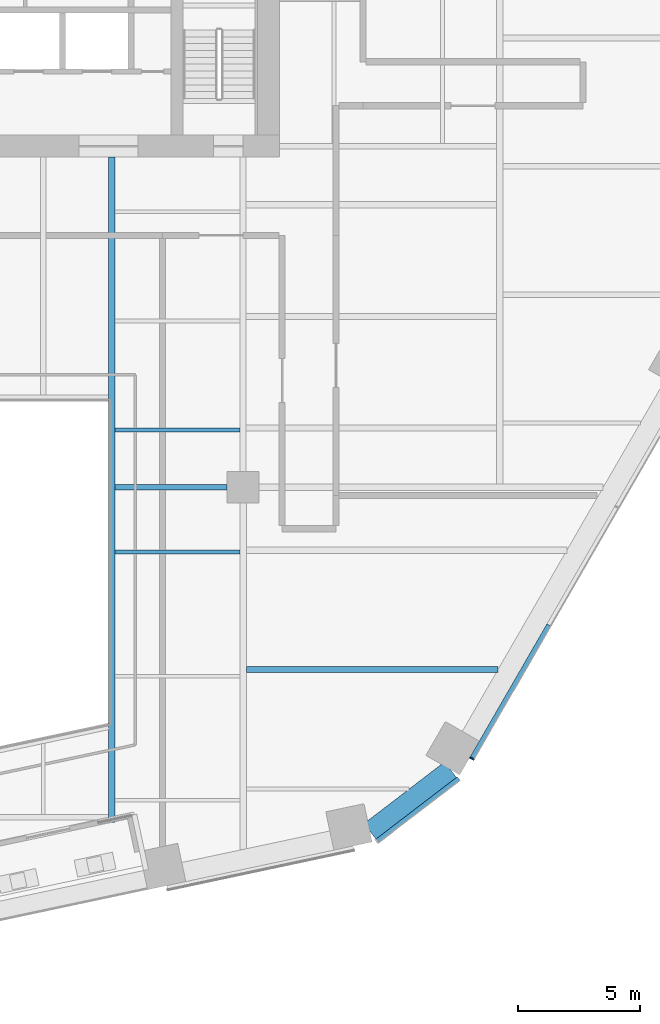
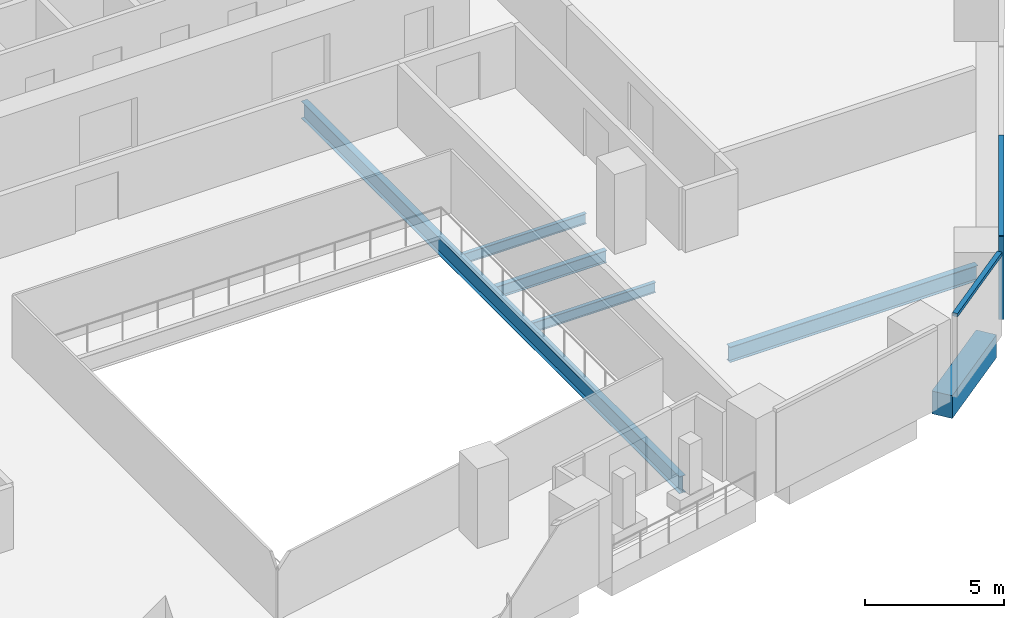
# One storey, part 7 of 28: 6 beams, 3 members, 2 elements without a shape of their own.
"""IFC4 building model written with IfcOpenShell, lengths in metres."""

import ifcopenshell
import ifcopenshell.guid

model = None  # the IFC model being written
_history = None  # IfcOwnerHistory: only IFC2X3 demands one
_inside = {}  # id of a spatial element -> (the spatial element, [elements in it])
_under = {}  # id of a project, library or spatial element -> (it, [spatial elements below it])
_declared = {}  # id of a project -> (the project, [libraries it declares])
_typed = {}  # id of a type object -> (the type object, [elements of that type])
_made_of = {}  # id of a material, layer set ... -> (it, [elements and type objects made of it])


def new_model(schema):
    """Start an empty IFC model of exactly this schema.

    Asked for "IFC4X3", IfcOpenShell would pick the latest addendum, in which some entities
    have other attributes; the version numbers below select the first issue.
    IFC2X3 requires an IfcOwnerHistory on every rooted entity: one is made here for all.
    """
    global model, _history
    if schema == "IFC4X3":
        model = ifcopenshell.file(schema_version=(4, 3, 0, 0))
    else:
        model = ifcopenshell.file(schema=schema)
    _inside.clear()
    _under.clear()
    _declared.clear()
    _typed.clear()
    _made_of.clear()
    _history = None
    if model.schema == "IFC2X3":
        org = make("IfcOrganization", Name="unknown")
        user = make(
            "IfcPersonAndOrganization",
            ThePerson=make("IfcPerson", FamilyName="unknown"),
            TheOrganization=org,
        )
        app = make(
            "IfcApplication",
            ApplicationDeveloper=org,
            Version="unknown",
            ApplicationFullName="unknown",
            ApplicationIdentifier="unknown",
        )
        _history = make(
            "IfcOwnerHistory",
            OwningUser=user,
            OwningApplication=app,
            ChangeAction="ADDED",
            CreationDate=0,
        )
    return model


def make(cls, **values):
    """One entity of the class cls with the attributes given. An attribute that is None is left unset."""
    return model.create_entity(
        cls, **{name: value for name, value in values.items() if value is not None}
    )


def rooted(cls, **values):
    """An entity with a GlobalId (a new one), such as an element, a storey or a relation."""
    return make(cls, GlobalId=ifcopenshell.guid.new(), OwnerHistory=_history, **values)


def si_unit(unit_type, name, prefix=None):
    """IfcSIUnit, for example si_unit("LENGTHUNIT", "METRE", prefix="MILLI")."""
    return make("IfcSIUnit", UnitType=unit_type, Prefix=prefix, Name=name)


def assignment(units):
    """IfcUnitAssignment: the units of a project."""
    return None if units is None else make("IfcUnitAssignment", Units=units)


def point(xyz):
    """IfcCartesianPoint."""
    return None if xyz is None else make("IfcCartesianPoint", Coordinates=xyz)


def direction(xyz):
    """IfcDirection."""
    return None if xyz is None else make("IfcDirection", DirectionRatios=xyz)


def frame(location, z_axis=None, x_axis=None):
    """IfcAxis2Placement3D, a coordinate frame: its origin and axes. An axis left out is left unset."""
    return make(
        "IfcAxis2Placement3D",
        Location=point(location),
        Axis=direction(z_axis),
        RefDirection=direction(x_axis),
    )


def frame_2d(location, x_axis=None):
    """IfcAxis2Placement2D, a coordinate frame in the plane: its origin and x axis."""
    return make(
        "IfcAxis2Placement2D", Location=point(location), RefDirection=direction(x_axis)
    )


def origin():
    """The frame at (0, 0, 0) with its axes left unset."""
    return frame((0.0, 0.0, 0.0))


def origin_2d():
    """The frame at (0, 0) in the plane with its x axis left unset."""
    return frame_2d((0.0, 0.0))


def place(relative_to, where):
    """IfcLocalPlacement: puts the frame where relative to a parent placement (None: the world)."""
    return make(
        "IfcLocalPlacement", PlacementRelTo=relative_to, RelativePlacement=where
    )


def context(
    kind, dimensions, precision=None, world=None, true_north=None, identifier=None
):
    """IfcGeometricRepresentationContext, for example the 3D "Model" context."""
    return make(
        "IfcGeometricRepresentationContext",
        ContextIdentifier=identifier,
        ContextType=kind,
        CoordinateSpaceDimension=dimensions,
        Precision=precision,
        WorldCoordinateSystem=world,
        TrueNorth=true_north,
    )


def subcontext(parent, identifier, kind, view, scale=None):
    """IfcGeometricRepresentationSubContext, for example "Body" below "Model"."""
    return make(
        "IfcGeometricRepresentationSubContext",
        ContextIdentifier=identifier,
        ContextType=kind,
        ParentContext=parent,
        TargetScale=scale,
        TargetView=view,
    )


def project(units=None, contexts=None):
    """IfcProject with its units and contexts."""
    return rooted(
        "IfcProject",
        Name="project",
        RepresentationContexts=contexts,
        UnitsInContext=assignment(units),
    )


def spatial(cls, under=None, at=None, **own):
    """A site, building, storey or space (cls), placed at a placement, below another one or the project."""
    s = rooted(cls, ObjectPlacement=at, **own)
    if under is not None:
        _under.setdefault(under.id(), (under, []))[1].append(s)
    return s


def profile(cls, at=None, kind="AREA", **sizes):
    """A parametric profile (cls). Its sizes go by their IFC names, for example OverallWidth=200.0."""
    return make(cls, ProfileType=kind, Position=at, **sizes)


def rectangle(**sizes):
    """IfcRectangleProfileDef."""
    return profile("IfcRectangleProfileDef", **sizes)


def i_section(**sizes):
    """IfcIShapeProfileDef."""
    return profile("IfcIShapeProfileDef", **sizes)


def extrude(swept, where, along, depth):
    """IfcExtrudedAreaSolid: the profile swept, set in the frame where, extruded along a direction by depth."""
    return make(
        "IfcExtrudedAreaSolid",
        SweptArea=swept,
        Position=where,
        ExtrudedDirection=direction(along),
        Depth=depth,
    )


def shape(context_of_items, identifier, shape_type, items):
    """IfcShapeRepresentation: the items that make up one representation, for example the "Body"."""
    return make(
        "IfcShapeRepresentation",
        ContextOfItems=context_of_items,
        RepresentationIdentifier=identifier,
        RepresentationType=shape_type,
        Items=items,
    )


def material(Name=None, Category=None):
    """IfcMaterial."""
    return make("IfcMaterial", Name=Name, Category=Category)


def layer(
    of_material, thickness, ventilated=None, Name=None, Category=None, Priority=None
):
    """IfcMaterialLayer: one layer of a wall or slab, of a material (None: an air gap)."""
    return make(
        "IfcMaterialLayer",
        Material=of_material,
        LayerThickness=thickness,
        IsVentilated=ventilated,
        Name=Name,
        Category=Category,
        Priority=Priority,
    )


def layer_set(layers, Name=None):
    """IfcMaterialLayerSet."""
    return make("IfcMaterialLayerSet", MaterialLayers=layers, LayerSetName=Name)


def material_profile(
    of_material, cross_section, Name=None, Category=None, Priority=None
):
    """IfcMaterialProfile: a cross section and its material."""
    return make(
        "IfcMaterialProfile",
        Name=Name,
        Material=of_material,
        Profile=cross_section,
        Priority=Priority,
        Category=Category,
    )


def profile_set(profiles, Name=None, composite=None):
    """IfcMaterialProfileSet."""
    return make(
        "IfcMaterialProfileSet",
        Name=Name,
        MaterialProfiles=profiles,
        CompositeProfile=composite,
    )


def made_of(thing, what):
    """Note that an element or type object is made of a material, layer set ...; save() writes the relation."""
    if what is not None:
        _made_of.setdefault(what.id(), (what, []))[1].append(thing)
    return thing


def type_object(cls, material=None, **own):
    """A type object (cls), such as IfcWallType, which elements share."""
    return made_of(rooted(cls, **own), material)


def element(
    cls,
    number,
    at=None,
    inside=None,
    cuts=None,
    type_object=None,
    material=None,
    context=None,
    identifier="Body",
    shape_type=None,
    held_by="IfcProductDefinitionShape",
    body=None,
    shapes=None,
    **own,
):
    """One element of the class cls, such as IfcWall. Its Tag is "e" and its number.

    at: its placement. inside: the storey or other place that contains it. cuts: it is an
    opening in that element (IfcRelVoidsElement). A single representation is given by context,
    identifier, shape_type and body (its items); several are given by shapes. held_by: the class
    of the entity that holds the representations. save() writes the other relations.
    """
    e = rooted(cls, Tag="e%d" % number, ObjectPlacement=at, **own)
    if body is not None:
        shapes = [shape(context, identifier, shape_type, body)]
    if shapes is not None:
        e.Representation = make(held_by, Representations=shapes)
    if inside is not None:
        _inside.setdefault(inside.id(), (inside, []))[1].append(e)
    if cuts is not None:
        rooted(
            "IfcRelVoidsElement", RelatingBuildingElement=cuts, RelatedOpeningElement=e
        )
    if type_object is not None:
        _typed.setdefault(type_object.id(), (type_object, []))[1].append(e)
    return made_of(e, material)


def aggregate(whole, parts):
    """IfcRelAggregates: a whole, such as a stair, and the parts it consists of."""
    return rooted("IfcRelAggregates", RelatingObject=whole, RelatedObjects=parts)


def save(model, path):
    """Write the relations noted so far, then the file.

    IfcRelAggregates (storeys below a building ...), IfcRelContainedInSpatialStructure (elements
    in a storey), IfcRelDefinesByType, IfcRelAssociatesMaterial and IfcRelDeclares: one each for
    every whole, place, type object, material and project.
    """
    for whole, parts in _under.values():
        aggregate(whole, parts)
    for where, things in _inside.values():
        rooted(
            "IfcRelContainedInSpatialStructure",
            RelatedElements=things,
            RelatingStructure=where,
        )
    for kind, things in _typed.values():
        rooted("IfcRelDefinesByType", RelatedObjects=things, RelatingType=kind)
    for what, things in _made_of.values():
        rooted("IfcRelAssociatesMaterial", RelatedObjects=things, RelatingMaterial=what)
    for by, libraries in _declared.values():
        rooted("IfcRelDeclares", RelatingContext=by, RelatedDefinitions=libraries)
    model.write(path)


model = new_model("IFC4")

# Units and contexts
model_context = context("Model", 3, precision=1e-05, world=origin(), true_north=direction((0.0, 1.0)))
body_context = subcontext(model_context, "Body", "Model", "MODEL_VIEW")
ifc_project = project(units=[si_unit("LENGTHUNIT", "METRE"), si_unit("AREAUNIT", "SQUARE_METRE"), si_unit("VOLUMEUNIT", "CUBIC_METRE"), si_unit("PLANEANGLEUNIT", "RADIAN"), si_unit("MASSUNIT", "GRAM", prefix="KILO")], contexts=[model_context])

# Site, building, storey
site_placement = place(None, origin())
site = spatial("IfcSite", under=ifc_project, at=site_placement, CompositionType="ELEMENT")
building_placement = place(site_placement, origin())
building = spatial("IfcBuilding", under=site, at=building_placement, Name="Isthmus Gate Tower", CompositionType="ELEMENT")
storey_placement = place(building_placement, frame((0.0, 0.0, 84.300048828125)))
storey = spatial("IfcBuildingStorey", under=building, at=storey_placement, Name="L19", CompositionType="ELEMENT", Elevation=84.300048828125)

# Curtain wall, member
ifc_material_1 = material(Name="Aluminium, pale champagne anodised", Category="aluminium")
ifc_layer = layer(ifc_material_1, 0.199951171875)
ifc_layer_set = layer_set([ifc_layer], Name="CW-1 UNITISED CURTAIN WALL 200 DEEP")
curtain_wall_type = type_object("IfcCurtainWallType", Name="CW-1 UNITISED CURTAIN WALL 200 DEEP", PredefinedType="NOTDEFINED", material=ifc_layer_set)
curtain_wall_1_placement = place(storey_placement, origin())
curtain_wall_1 = element("IfcCurtainWall", 1, at=curtain_wall_1_placement, inside=storey, type_object=curtain_wall_type, Name="CW-1 SE L19", PredefinedType="NOTDEFINED")
ifc_material_2 = material(Name="Aluminium, pale champagne anodised", Category="aluminium")
ifc_material_profile_1 = material_profile(ifc_material_2, rectangle(XDim=0.06005859375, YDim=0.199951171875, at=origin_2d()), Name="60x200")
ifc_profile_set_1 = profile_set([ifc_material_profile_1], Name="Aluminium, pale champagne anodised")
member_type_1 = type_object("IfcMemberType", Name="CW-1 MULLION 60 X 200", PredefinedType="MULLION", material=ifc_profile_set_1)
member_1_placement = place(storey_placement, frame((22.863525390625, -24.599365234375, 0.0), z_axis=(0.0, 0.0, 1.0), x_axis=(0.5, 0.866025403784, 0.0)))
member_1 = element("IfcMember", 2, at=member_1_placement, type_object=member_type_1, Name="CW-1 mullion", PredefinedType="MULLION", context=body_context, shape_type="SweptSolid", body=[
    extrude(rectangle(XDim=0.06005859375, YDim=0.199951171875, at=origin_2d()), origin(), (0.0, 0.0, 1.0), 3.64990234375),
])

curtain_wall_2_placement = place(storey_placement, origin())
curtain_wall_2 = element("IfcCurtainWall", 3, at=curtain_wall_2_placement, inside=storey, type_object=curtain_wall_type, Name="CW-1 S-SE L19", PredefinedType="NOTDEFINED")
ifc_material_3 = material(Name="Aluminium, pale champagne anodised", Category="aluminium")
ifc_material_profile_2 = material_profile(ifc_material_3, rectangle(XDim=0.199951171875, YDim=0.14990234375, at=origin_2d()), Name="200x150")
ifc_profile_set_2 = profile_set([ifc_material_profile_2], Name="Aluminium, pale champagne anodised")
member_type_2 = type_object("IfcMemberType", Name="CW-1 TRANSOM 200 X 150", PredefinedType="USERDEFINED", material=ifc_profile_set_2)
member_2_placement = place(storey_placement, frame((19.002685546875, -27.96435546875, 3.574951171875), z_axis=(0.794175498212, 0.607688471209, 0.0), x_axis=(-0.607688471209, 0.794175498212, 0.0)))
member_2 = element("IfcMember", 4, at=member_2_placement, type_object=member_type_2, Name="CW-1 transom", ObjectType="TRANSOM", PredefinedType="USERDEFINED", context=body_context, shape_type="SweptSolid", body=[
    extrude(rectangle(XDim=0.199951171875, YDim=0.14990234375, at=origin_2d()), origin(), (0.0, 0.0, 1.0), 4.181396484375),
])
aggregate(curtain_wall_2, [member_2])

# Member
member_3_placement = place(storey_placement, frame((22.87841796875, -24.5732421875, 3.574951171875), z_axis=(0.50002426866, 0.866011391814, 0.0), x_axis=(-0.866011391814, 0.50002426866, 0.0)))
member_3 = element("IfcMember", 5, at=member_3_placement, type_object=member_type_2, Name="CW-1 transom", ObjectType="TRANSOM", PredefinedType="USERDEFINED", context=body_context, shape_type="SweptSolid", body=[
    extrude(rectangle(XDim=0.199951171875, YDim=0.14990234375, at=origin_2d()), origin(), (0.0, 0.0, 1.0), 6.278564453125),
])

aggregate(curtain_wall_1, [member_1, member_3])

# Beams
ifc_material_4 = material(Name="Concrete f'c 70 MPa", Category="concrete")
ifc_material_profile_3 = material_profile(ifc_material_4, rectangle(XDim=0.800048828125, YDim=1.0, at=origin_2d()), Name="RC 800X1000")
ifc_profile_set_3 = profile_set([ifc_material_profile_3], Name="Concrete f'c 70 MPa")
beam_type_1 = type_object("IfcBeamType", Name="RC SPANDREL 800 X 1000", PredefinedType="SPANDREL", material=ifc_profile_set_3)
beam_1_placement = place(storey_placement, frame((21.98681640625, -25.051513671875, -0.5), z_axis=(-0.794205941875, -0.607648682949, 0.0), x_axis=(0.607648682949, -0.794205941875, 0.0)))
element("IfcBeam", 6, at=beam_1_placement, inside=storey, type_object=beam_type_1, Name="str-spandrel-L19-09", PredefinedType="SPANDREL", context=body_context, shape_type="SweptSolid", body=[
    extrude(rectangle(XDim=0.800048828125, YDim=1.0, at=origin_2d()), origin(), (0.0, 0.0, 1.0), 4.15234375),
])
ifc_material_5 = material(Name="Structural steel ASTM A992 Gr 50", Category="steel")
ifc_material_profile_4 = material_profile(ifc_material_5, i_section(OverallWidth=0.15234375, OverallDepth=0.45068359375, WebThickness=0.0078125, FlangeThickness=0.010986328125, at=origin_2d()), Name="W18X35")
ifc_profile_set_4 = profile_set([ifc_material_profile_4], Name="Structural steel ASTM A992 Gr 50")
beam_type_2 = type_object("IfcBeamType", Name="STEEL FLOOR BEAM W18X35", PredefinedType="JOIST", material=ifc_profile_set_4)
beam_2_placement = place(storey_placement, frame((8.263427734375, -11.16259765625, -0.37548828125), z_axis=(1.0, 0.0, 0.0), x_axis=(0.0, 1.0, 0.0)))
element("IfcBeam", 7, at=beam_2_placement, inside=storey, type_object=beam_type_2, Name="str-beam-L19-27-00", PredefinedType="JOIST", context=body_context, shape_type="SweptSolid", body=[
    extrude(i_section(OverallWidth=0.15234375, OverallDepth=0.45068359375, WebThickness=0.0078125, FlangeThickness=0.010986328125, at=origin_2d()), origin(), (0.0, 0.0, 1.0), 5.104736328125),
])
beam_3_placement = place(storey_placement, frame((8.263427734375, -16.144775390625, -0.37548828125), z_axis=(1.0, 0.0, 0.0), x_axis=(0.0, 1.0, 0.0)))
element("IfcBeam", 8, at=beam_3_placement, inside=storey, type_object=beam_type_2, Name="str-beam-L19-28-02", PredefinedType="JOIST", context=body_context, shape_type="SweptSolid", body=[
    extrude(i_section(OverallWidth=0.15234375, OverallDepth=0.45068359375, WebThickness=0.0078125, FlangeThickness=0.010986328125, at=origin_2d()), origin(), (0.0, 0.0, 1.0), 5.103271484375),
])
ifc_material_6 = material(Name="Structural steel ASTM A992 Gr 50", Category="steel")
ifc_material_profile_5 = material_profile(ifc_material_6, i_section(OverallWidth=0.25390625, OverallDepth=0.679443359375, WebThickness=0.010986328125, FlangeThickness=0.015869140625, at=origin_2d()), Name="W27X84")
ifc_profile_set_5 = profile_set([ifc_material_profile_5], Name="Structural steel ASTM A992 Gr 50")
beam_type_3 = type_object("IfcBeamType", Name="STEEL FLOOR BEAM W27X84", PredefinedType="JOIST", material=ifc_profile_set_5)
beam_4_placement = place(storey_placement, frame((13.63330078125, -20.958740234375, -0.48974609375), z_axis=(1.0, 0.0, 0.0), x_axis=(0.0, 1.0, 0.0)))
element("IfcBeam", 9, at=beam_4_placement, inside=storey, type_object=beam_type_3, Name="str-beam-L19-32-01", PredefinedType="JOIST", context=body_context, shape_type="SweptSolid", body=[
    extrude(i_section(OverallWidth=0.25390625, OverallDepth=0.679443359375, WebThickness=0.010986328125, FlangeThickness=0.015869140625, at=origin_2d()), origin(), (0.0, 0.0, 1.0), 10.292724609375),
])
ifc_material_7 = material(Name="Structural steel ASTM A992 Gr 50", Category="steel")
ifc_material_profile_6 = material_profile(ifc_material_7, i_section(OverallWidth=0.20947265625, OverallDepth=0.533447265625, WebThickness=0.009521484375, FlangeThickness=0.015869140625, at=origin_2d()), Name="W21X62")
ifc_profile_set_6 = profile_set([ifc_material_profile_6], Name="Structural steel ASTM A992 Gr 50")
beam_type_4 = type_object("IfcBeamType", Name="STEEL GIRDER W21X62", PredefinedType="BEAM", material=ifc_profile_set_6)
beam_5_placement = place(storey_placement, frame((8.263427734375, -13.5, -0.416748046875), z_axis=(1.0, 0.0, 0.0), x_axis=(0.0, 1.0, 0.0)))
element("IfcBeam", 10, at=beam_5_placement, inside=storey, type_object=beam_type_4, Name="str-girder-L19-07", PredefinedType="BEAM", context=body_context, shape_type="SweptSolid", body=[
    extrude(i_section(OverallWidth=0.20947265625, OverallDepth=0.533447265625, WebThickness=0.009521484375, FlangeThickness=0.015869140625, at=origin_2d()), origin(), (0.0, 0.0, 1.0), 4.586669921875),
])
ifc_material_8 = material(Name="Structural steel ASTM A992 Gr 50", Category="steel")
ifc_material_profile_7 = material_profile(ifc_material_8, i_section(OverallWidth=0.263427734375, OverallDepth=0.749267578125, WebThickness=0.0126953125, FlangeThickness=0.015869140625, at=origin_2d()), Name="W30X90")
ifc_profile_set_7 = profile_set([ifc_material_profile_7], Name="Structural steel ASTM A992 Gr 50")
beam_type_5 = type_object("IfcBeamType", Name="STEEL TRIMMER W30X90", PredefinedType="BEAM", material=ifc_profile_set_7)
beam_6_placement = place(storey_placement, frame((8.1318359375, -27.20458984375, -0.524658203125), z_axis=(0.0, 1.0, 0.0), x_axis=(-1.0, 0.0, 0.0)))
element("IfcBeam", 11, at=beam_6_placement, inside=storey, type_object=beam_type_5, Name="str-trimmer-L19-01", PredefinedType="BEAM", context=body_context, shape_type="SweptSolid", body=[
    extrude(i_section(OverallWidth=0.263427734375, OverallDepth=0.749267578125, WebThickness=0.0126953125, FlangeThickness=0.015869140625, at=origin_2d()), origin(), (0.0, 0.0, 1.0), 27.20458984375),
])

save(model, "model.ifc")
